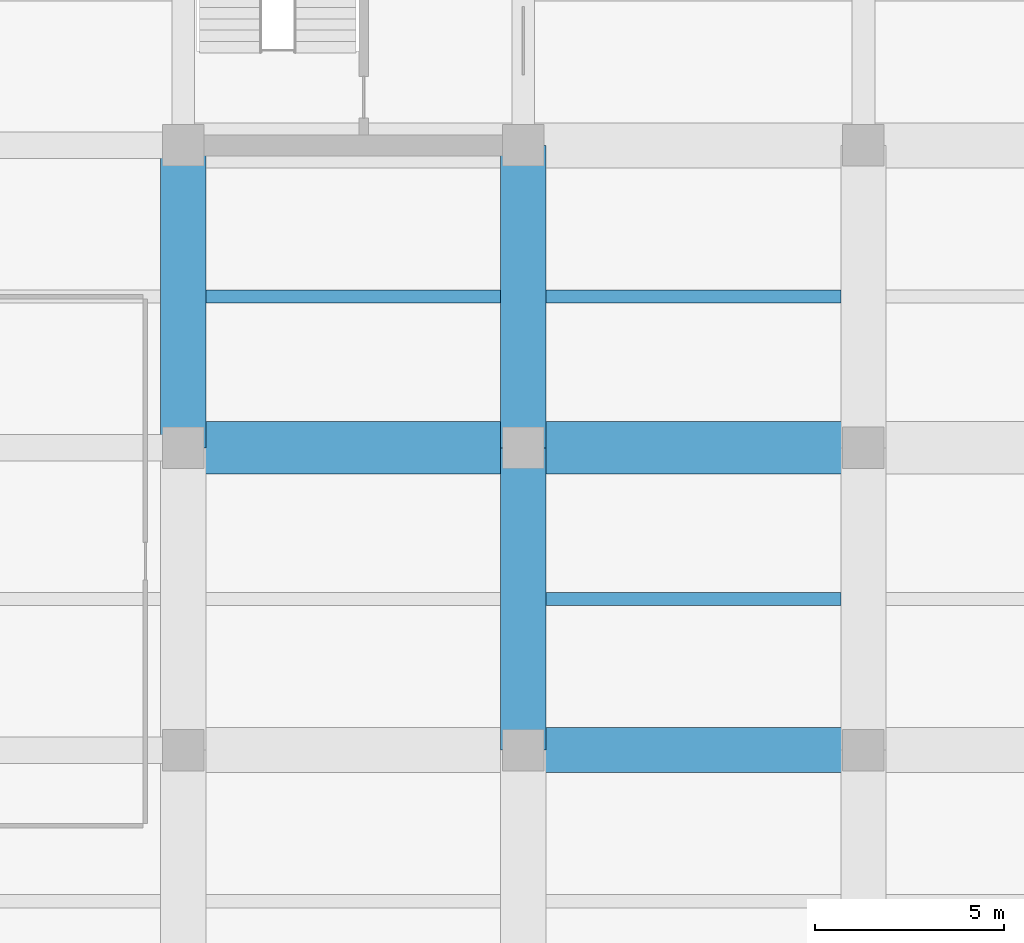
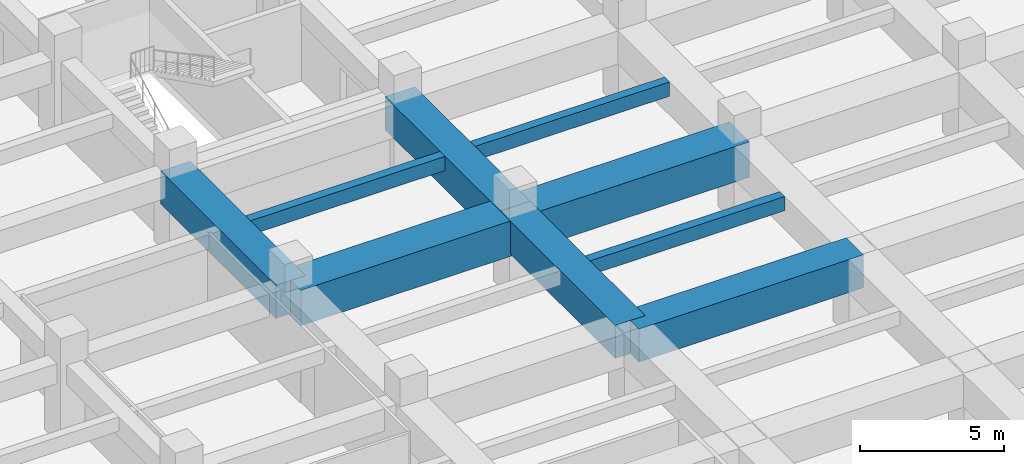
# One storey, part 10 of 40: 9 beams.
"""IFC4 building model written with IfcOpenShell, lengths in metres."""

from ifc_helpers import new_model, si_unit, direction, frame, origin, origin_2d, place, context, subcontext, project, spatial, rectangle, extrude, material, material_profile, profile_set, type_object, element, save


model = new_model("IFC4")

# Units and contexts
model_context = context("Model", 3, precision=1e-05, world=origin(), true_north=direction((0.0, 1.0)))
body_context = subcontext(model_context, "Body", "Model", "MODEL_VIEW")
ifc_project = project(units=[si_unit("LENGTHUNIT", "METRE"), si_unit("AREAUNIT", "SQUARE_METRE"), si_unit("VOLUMEUNIT", "CUBIC_METRE"), si_unit("PLANEANGLEUNIT", "RADIAN"), si_unit("MASSUNIT", "GRAM", prefix="KILO")], contexts=[model_context])

# Site, building, storey
site_placement = place(None, origin())
site = spatial("IfcSite", under=ifc_project, at=site_placement, CompositionType="ELEMENT")
building_placement = place(site_placement, origin())
building = spatial("IfcBuilding", under=site, at=building_placement, Name="Zaverband Oceanarium and Marine Research Institute", CompositionType="ELEMENT")
storey_placement = place(building_placement, origin())
storey = spatial("IfcBuildingStorey", under=building, at=storey_placement, Name="L00", CompositionType="ELEMENT", Elevation=0.0)

# Beams
ifc_material_1 = material(Name="Concrete C40/50", Category="concrete")
ifc_material_profile_1 = material_profile(ifc_material_1, rectangle(XDim=0.35009765625, YDim=0.60009765625, at=origin_2d()), Name="RC350x600")
ifc_profile_set_1 = profile_set([ifc_material_profile_1], Name="Concrete C40/50")
beam_type_1 = type_object("IfcBeamType", Name="JST-350x600", PredefinedType="JOIST", material=ifc_profile_set_1)
for number, where, z_axis, x_axis, name in (
    (1, (18.60009765625, 76.0, 3.0), (1.0, 0.0, 0.0), (0.0, 1.0, 0.0), "Secondary floor joist JST-350x600"),
    (2, (27.60009765625, 68.0, 3.0), (1.0, 0.0, 0.0), (0.0, 1.0, 0.0), "Secondary floor joist JST-350x600"),
    (3, (27.60009765625, 76.0, 3.0), (1.0, 0.0, 0.0), (0.0, 1.0, 0.0), "Secondary floor joist JST-350x600"),
):
    element("IfcBeam", number, at=place(storey_placement, frame(where, z_axis=z_axis, x_axis=x_axis)), inside=storey, type_object=beam_type_1, Name=name, PredefinedType="JOIST", context=body_context, shape_type="SweptSolid", body=[
        extrude(rectangle(XDim=0.35009765625, YDim=0.60009765625, at=origin_2d()), origin(), (0.0, 0.0, 1.0), 7.7998046875),
    ])
ifc_material_2 = material(Name="Concrete C50/60", Category="concrete")
ifc_material_profile_2 = material_profile(ifc_material_2, rectangle(XDim=1.199951171875, YDim=1.39990234375, at=origin_2d()), Name="RC1200x1400")
ifc_profile_set_2 = profile_set([ifc_material_profile_2], Name="Concrete C50/60")
beam_type_2 = type_object("IfcBeamType", Name="TG-1200x1400", PredefinedType="BEAM", material=ifc_profile_set_2)
beam_placement = place(storey_placement, frame((27.0, 64.0, 2.60009765625), z_axis=(1.0, 0.0, 0.0), x_axis=(0.0, 1.0, 0.0)))
element("IfcBeam", 4, at=beam_placement, inside=storey, type_object=beam_type_2, Name="Heavy transfer girder TG-1200x1400", PredefinedType="BEAM", context=body_context, shape_type="SweptSolid", body=[
    extrude(rectangle(XDim=1.199951171875, YDim=1.39990234375, at=origin_2d()), origin(), (0.0, 0.0, 1.0), 9.0),
])
for number, where, z_axis, x_axis, name in (
    (5, (18.0, 72.0, 2.60009765625), (0.0, 1.0, 0.0), (-1.0, 0.0, 0.0), "Heavy transfer girder TG-1200x1400"),
    (6, (27.0, 64.0, 2.60009765625), (0.0, 1.0, 0.0), (-1.0, 0.0, 0.0), "Heavy transfer girder TG-1200x1400"),
    (7, (27.0, 72.0, 2.60009765625), (0.0, 1.0, 0.0), (-1.0, 0.0, 0.0), "Heavy transfer girder TG-1200x1400"),
):
    element("IfcBeam", number, at=place(storey_placement, frame(where, z_axis=z_axis, x_axis=x_axis)), inside=storey, type_object=beam_type_2, Name=name, PredefinedType="BEAM", context=body_context, shape_type="SweptSolid", body=[
        extrude(rectangle(XDim=1.199951171875, YDim=1.39990234375, at=origin_2d()), origin(), (0.0, 0.0, 1.0), 8.0),
    ])
ifc_material_profile_3 = material_profile(ifc_material_2, rectangle(XDim=1.39990234375, YDim=1.5, at=origin_2d()), Name="RC1400x1500")
ifc_profile_set_3 = profile_set([ifc_material_profile_3], Name="Concrete C50/60")
beam_type_3 = type_object("IfcBeamType", Name="TG-1400x1500", PredefinedType="BEAM", material=ifc_profile_set_3)
for number, where, z_axis, x_axis, name in (
    (8, (18.0, 72.0, 2.550048828125), (1.0, 0.0, 0.0), (0.0, 1.0, 0.0), "Heavy transfer girder TG-1400x1500"),
    (9, (27.0, 72.0, 2.550048828125), (1.0, 0.0, 0.0), (0.0, 1.0, 0.0), "Heavy transfer girder TG-1400x1500"),
):
    element("IfcBeam", number, at=place(storey_placement, frame(where, z_axis=z_axis, x_axis=x_axis)), inside=storey, type_object=beam_type_3, Name=name, PredefinedType="BEAM", context=body_context, shape_type="SweptSolid", body=[
        extrude(rectangle(XDim=1.39990234375, YDim=1.5, at=origin_2d()), origin(), (0.0, 0.0, 1.0), 9.0),
    ])

save(model, "model.ifc")
